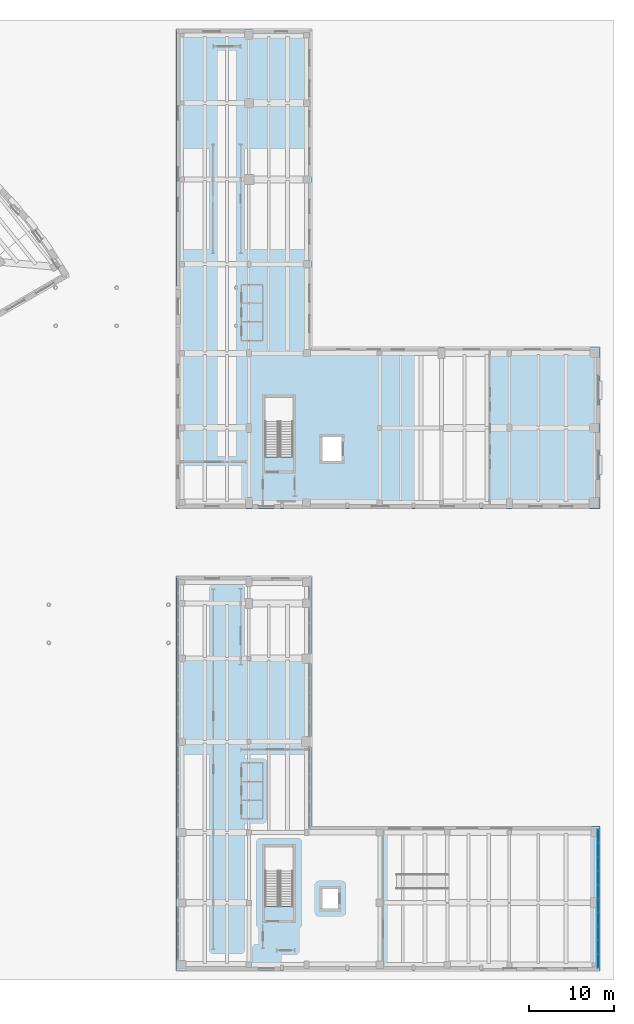
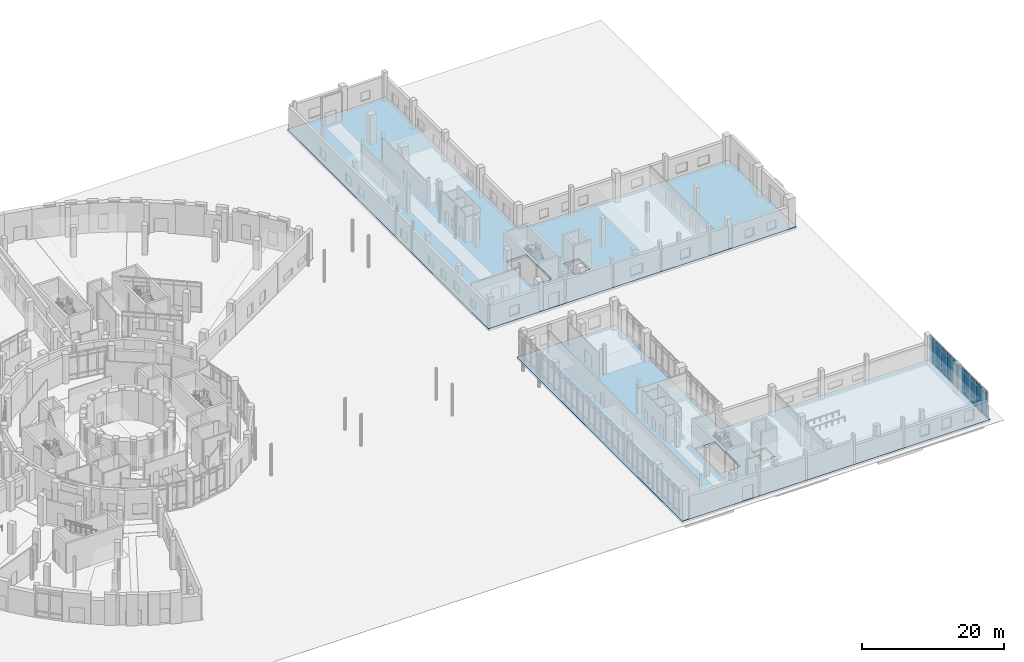
# One storey, part 40 of 74: 30 plates, 2 slabs, 1 element without a shape of its own.
"""IFC4 building model written with IfcOpenShell, lengths in metres."""

from ifc_helpers import new_model, si_unit, direction, frame, origin, origin_2d, place, context, subcontext, project, spatial, polyline, rectangle, outline, extrude, material, layer, layer_set, type_object, element, aggregate, save


model = new_model("IFC4")

# Units and contexts
model_context = context("Model", 3, precision=1e-05, world=origin(), true_north=direction((0.0, 1.0)))
body_context = subcontext(model_context, "Body", "Model", "MODEL_VIEW")
ifc_project = project(units=[si_unit("LENGTHUNIT", "METRE"), si_unit("AREAUNIT", "SQUARE_METRE"), si_unit("VOLUMEUNIT", "CUBIC_METRE"), si_unit("PLANEANGLEUNIT", "RADIAN"), si_unit("MASSUNIT", "GRAM", prefix="KILO")], contexts=[model_context])

# Site, building, storey
site_placement = place(None, origin())
site = spatial("IfcSite", under=ifc_project, at=site_placement, CompositionType="ELEMENT")
building_placement = place(site_placement, origin())
building = spatial("IfcBuilding", under=site, at=building_placement, Name="Soyqirgoq Riverine Aquarium", CompositionType="ELEMENT")
storey_placement = place(building_placement, origin())
storey = spatial("IfcBuildingStorey", under=building, at=storey_placement, Name="L01", CompositionType="ELEMENT", Elevation=0.0)

# Curtain wall, plates
ifc_material_1 = material(Name="Structural silicone glazed entrance curtain wall", Category="aluminium")
curtain_wall_type = type_object("IfcCurtainWallType", Name="CW_Portal_Entrance", PredefinedType="NOTDEFINED", material=ifc_material_1)
curtain_wall_placement = place(storey_placement, origin())
curtain_wall = element("IfcCurtainWall", 1, at=curtain_wall_placement, inside=storey, type_object=curtain_wall_type, Name="V6 L01 Curtain Wall 111", PredefinedType="NOTDEFINED")
ifc_material_2 = material(Name="Triple insulated laminated low-E glass", Category="glass")
ifc_layer_1 = layer(ifc_material_2, 0.0458984375)
ifc_layer_set_1 = layer_set([ifc_layer_1], Name="Triple insulated laminated low-E glass")
plate_type = type_object("IfcPlateType", Name="CWGlazedPanel_46", PredefinedType="CURTAIN_PANEL", material=ifc_layer_set_1)
plate_1_placement = place(storey_placement, frame((163.75, 17.368896484375, 0.074951171875), z_axis=(0.0, 0.0, 1.0), x_axis=(0.0, -1.0, 0.0)))
plate_1 = element("IfcPlate", 2, at=plate_1_placement, type_object=plate_type, Name="CW-04 panel 1.1", PredefinedType="CURTAIN_PANEL", context=body_context, shape_type="SweptSolid", body=[
    extrude(rectangle(XDim=1.52197265625, YDim=0.0458984375, at=origin_2d()), origin(), (0.0, 0.0, 1.0), 0.78759765625),
])
plate_2_placement = place(storey_placement, frame((163.75, 17.368896484375, 0.9375), z_axis=(0.0, 0.0, 1.0), x_axis=(0.0, -1.0, 0.0)))
plate_2 = element("IfcPlate", 3, at=plate_2_placement, type_object=plate_type, Name="CW-04 panel 1.2", PredefinedType="CURTAIN_PANEL", context=body_context, shape_type="SweptSolid", body=[
    extrude(rectangle(XDim=1.52197265625, YDim=0.0458984375, at=origin_2d()), origin(), (0.0, 0.0, 1.0), 3.02490234375),
])
plate_3_placement = place(storey_placement, frame((163.75, 17.368896484375, 4.03759765625), z_axis=(0.0, 0.0, 1.0), x_axis=(0.0, -1.0, 0.0)))
plate_3 = element("IfcPlate", 4, at=plate_3_placement, type_object=plate_type, Name="CW-04 panel 1.3", PredefinedType="CURTAIN_PANEL", context=body_context, shape_type="SweptSolid", body=[
    extrude(rectangle(XDim=1.52197265625, YDim=0.0458984375, at=origin_2d()), origin(), (0.0, 0.0, 1.0), 0.58740234375),
])
plate_4_placement = place(storey_placement, frame((163.75, 15.7470703125, 0.074951171875), z_axis=(0.0, 0.0, 1.0), x_axis=(0.0, -1.0, 0.0)))
plate_4 = element("IfcPlate", 5, at=plate_4_placement, type_object=plate_type, Name="CW-04 panel 2.1", PredefinedType="CURTAIN_PANEL", context=body_context, shape_type="SweptSolid", body=[
    extrude(rectangle(XDim=1.56201171875, YDim=0.0458984375, at=origin_2d()), origin(), (0.0, 0.0, 1.0), 0.78759765625),
])
plate_5_placement = place(storey_placement, frame((163.75, 15.7470703125, 0.9375), z_axis=(0.0, 0.0, 1.0), x_axis=(0.0, -1.0, 0.0)))
plate_5 = element("IfcPlate", 6, at=plate_5_placement, type_object=plate_type, Name="CW-04 panel 2.2", PredefinedType="CURTAIN_PANEL", context=body_context, shape_type="SweptSolid", body=[
    extrude(rectangle(XDim=1.56201171875, YDim=0.0458984375, at=origin_2d()), origin(), (0.0, 0.0, 1.0), 3.02490234375),
])
plate_6_placement = place(storey_placement, frame((163.75, 15.7470703125, 4.03759765625), z_axis=(0.0, 0.0, 1.0), x_axis=(0.0, -1.0, 0.0)))
plate_6 = element("IfcPlate", 7, at=plate_6_placement, type_object=plate_type, Name="CW-04 panel 2.3", PredefinedType="CURTAIN_PANEL", context=body_context, shape_type="SweptSolid", body=[
    extrude(rectangle(XDim=1.56201171875, YDim=0.0458984375, at=origin_2d()), origin(), (0.0, 0.0, 1.0), 0.58740234375),
])
plate_7_placement = place(storey_placement, frame((163.75, 14.10498046875, 0.074951171875), z_axis=(0.0, 0.0, 1.0), x_axis=(0.0, -1.0, 0.0)))
plate_7 = element("IfcPlate", 8, at=plate_7_placement, type_object=plate_type, Name="CW-04 panel 3.1", PredefinedType="CURTAIN_PANEL", context=body_context, shape_type="SweptSolid", body=[
    extrude(rectangle(XDim=1.56201171875, YDim=0.0458984375, at=origin_2d()), origin(), (0.0, 0.0, 1.0), 0.78759765625),
])
plate_8_placement = place(storey_placement, frame((163.75, 14.10498046875, 0.9375), z_axis=(0.0, 0.0, 1.0), x_axis=(0.0, -1.0, 0.0)))
plate_8 = element("IfcPlate", 9, at=plate_8_placement, type_object=plate_type, Name="CW-04 panel 3.2", PredefinedType="CURTAIN_PANEL", context=body_context, shape_type="SweptSolid", body=[
    extrude(rectangle(XDim=1.56201171875, YDim=0.0458984375, at=origin_2d()), origin(), (0.0, 0.0, 1.0), 3.02490234375),
])
plate_9_placement = place(storey_placement, frame((163.75, 14.10498046875, 4.03759765625), z_axis=(0.0, 0.0, 1.0), x_axis=(0.0, -1.0, 0.0)))
plate_9 = element("IfcPlate", 10, at=plate_9_placement, type_object=plate_type, Name="CW-04 panel 3.3", PredefinedType="CURTAIN_PANEL", context=body_context, shape_type="SweptSolid", body=[
    extrude(rectangle(XDim=1.56201171875, YDim=0.0458984375, at=origin_2d()), origin(), (0.0, 0.0, 1.0), 0.58740234375),
])
plate_10_placement = place(storey_placement, frame((163.75, 12.462890625, 0.074951171875), z_axis=(0.0, 0.0, 1.0), x_axis=(0.0, -1.0, 0.0)))
plate_10 = element("IfcPlate", 11, at=plate_10_placement, type_object=plate_type, Name="CW-04 panel 4.1", PredefinedType="CURTAIN_PANEL", context=body_context, shape_type="SweptSolid", body=[
    extrude(rectangle(XDim=1.56201171875, YDim=0.0458984375, at=origin_2d()), origin(), (0.0, 0.0, 1.0), 0.78759765625),
])
plate_11_placement = place(storey_placement, frame((163.75, 12.462890625, 0.9375), z_axis=(0.0, 0.0, 1.0), x_axis=(0.0, -1.0, 0.0)))
plate_11 = element("IfcPlate", 12, at=plate_11_placement, type_object=plate_type, Name="CW-04 panel 4.2", PredefinedType="CURTAIN_PANEL", context=body_context, shape_type="SweptSolid", body=[
    extrude(rectangle(XDim=1.56201171875, YDim=0.0458984375, at=origin_2d()), origin(), (0.0, 0.0, 1.0), 3.02490234375),
])
plate_12_placement = place(storey_placement, frame((163.75, 12.462890625, 4.03759765625), z_axis=(0.0, 0.0, 1.0), x_axis=(0.0, -1.0, 0.0)))
plate_12 = element("IfcPlate", 13, at=plate_12_placement, type_object=plate_type, Name="CW-04 panel 4.3", PredefinedType="CURTAIN_PANEL", context=body_context, shape_type="SweptSolid", body=[
    extrude(rectangle(XDim=1.56201171875, YDim=0.0458984375, at=origin_2d()), origin(), (0.0, 0.0, 1.0), 0.58740234375),
])
plate_13_placement = place(storey_placement, frame((163.75, 10.821044921875, 0.074951171875), z_axis=(0.0, 0.0, 1.0), x_axis=(0.0, -1.0, 0.0)))
plate_13 = element("IfcPlate", 14, at=plate_13_placement, type_object=plate_type, Name="CW-04 panel 5.1", PredefinedType="CURTAIN_PANEL", context=body_context, shape_type="SweptSolid", body=[
    extrude(rectangle(XDim=1.56201171875, YDim=0.0458984375, at=origin_2d()), origin(), (0.0, 0.0, 1.0), 0.78759765625),
])
plate_14_placement = place(storey_placement, frame((163.75, 10.821044921875, 0.9375), z_axis=(0.0, 0.0, 1.0), x_axis=(0.0, -1.0, 0.0)))
plate_14 = element("IfcPlate", 15, at=plate_14_placement, type_object=plate_type, Name="CW-04 panel 5.2", PredefinedType="CURTAIN_PANEL", context=body_context, shape_type="SweptSolid", body=[
    extrude(rectangle(XDim=1.56201171875, YDim=0.0458984375, at=origin_2d()), origin(), (0.0, 0.0, 1.0), 3.02490234375),
])
plate_15_placement = place(storey_placement, frame((163.75, 10.821044921875, 4.03759765625), z_axis=(0.0, 0.0, 1.0), x_axis=(0.0, -1.0, 0.0)))
plate_15 = element("IfcPlate", 16, at=plate_15_placement, type_object=plate_type, Name="CW-04 panel 5.3", PredefinedType="CURTAIN_PANEL", context=body_context, shape_type="SweptSolid", body=[
    extrude(rectangle(XDim=1.56201171875, YDim=0.0458984375, at=origin_2d()), origin(), (0.0, 0.0, 1.0), 0.58740234375),
])
plate_16_placement = place(storey_placement, frame((163.75, 9.178955078125, 0.074951171875), z_axis=(0.0, 0.0, 1.0), x_axis=(0.0, -1.0, 0.0)))
plate_16 = element("IfcPlate", 17, at=plate_16_placement, type_object=plate_type, Name="CW-04 panel 6.1", PredefinedType="CURTAIN_PANEL", context=body_context, shape_type="SweptSolid", body=[
    extrude(rectangle(XDim=1.56201171875, YDim=0.0458984375, at=origin_2d()), origin(), (0.0, 0.0, 1.0), 0.78759765625),
])
plate_17_placement = place(storey_placement, frame((163.75, 9.178955078125, 0.9375), z_axis=(0.0, 0.0, 1.0), x_axis=(0.0, -1.0, 0.0)))
plate_17 = element("IfcPlate", 18, at=plate_17_placement, type_object=plate_type, Name="CW-04 panel 6.2", PredefinedType="CURTAIN_PANEL", context=body_context, shape_type="SweptSolid", body=[
    extrude(rectangle(XDim=1.56201171875, YDim=0.0458984375, at=origin_2d()), origin(), (0.0, 0.0, 1.0), 3.02490234375),
])
plate_18_placement = place(storey_placement, frame((163.75, 9.178955078125, 4.03759765625), z_axis=(0.0, 0.0, 1.0), x_axis=(0.0, -1.0, 0.0)))
plate_18 = element("IfcPlate", 19, at=plate_18_placement, type_object=plate_type, Name="CW-04 panel 6.3", PredefinedType="CURTAIN_PANEL", context=body_context, shape_type="SweptSolid", body=[
    extrude(rectangle(XDim=1.56201171875, YDim=0.0458984375, at=origin_2d()), origin(), (0.0, 0.0, 1.0), 0.58740234375),
])
plate_19_placement = place(storey_placement, frame((163.75, 7.537109375, 0.074951171875), z_axis=(0.0, 0.0, 1.0), x_axis=(0.0, -1.0, 0.0)))
plate_19 = element("IfcPlate", 20, at=plate_19_placement, type_object=plate_type, Name="CW-04 panel 7.1", PredefinedType="CURTAIN_PANEL", context=body_context, shape_type="SweptSolid", body=[
    extrude(rectangle(XDim=1.56201171875, YDim=0.0458984375, at=origin_2d()), origin(), (0.0, 0.0, 1.0), 0.78759765625),
])
plate_20_placement = place(storey_placement, frame((163.75, 7.537109375, 0.9375), z_axis=(0.0, 0.0, 1.0), x_axis=(0.0, -1.0, 0.0)))
plate_20 = element("IfcPlate", 21, at=plate_20_placement, type_object=plate_type, Name="CW-04 panel 7.2", PredefinedType="CURTAIN_PANEL", context=body_context, shape_type="SweptSolid", body=[
    extrude(rectangle(XDim=1.56201171875, YDim=0.0458984375, at=origin_2d()), origin(), (0.0, 0.0, 1.0), 3.02490234375),
])
plate_21_placement = place(storey_placement, frame((163.75, 7.537109375, 4.03759765625), z_axis=(0.0, 0.0, 1.0), x_axis=(0.0, -1.0, 0.0)))
plate_21 = element("IfcPlate", 22, at=plate_21_placement, type_object=plate_type, Name="CW-04 panel 7.3", PredefinedType="CURTAIN_PANEL", context=body_context, shape_type="SweptSolid", body=[
    extrude(rectangle(XDim=1.56201171875, YDim=0.0458984375, at=origin_2d()), origin(), (0.0, 0.0, 1.0), 0.58740234375),
])
plate_22_placement = place(storey_placement, frame((163.75, 5.89501953125, 0.074951171875), z_axis=(0.0, 0.0, 1.0), x_axis=(0.0, -1.0, 0.0)))
plate_22 = element("IfcPlate", 23, at=plate_22_placement, type_object=plate_type, Name="CW-04 panel 8.1", PredefinedType="CURTAIN_PANEL", context=body_context, shape_type="SweptSolid", body=[
    extrude(rectangle(XDim=1.56201171875, YDim=0.0458984375, at=origin_2d()), origin(), (0.0, 0.0, 1.0), 0.78759765625),
])
plate_23_placement = place(storey_placement, frame((163.75, 5.89501953125, 0.9375), z_axis=(0.0, 0.0, 1.0), x_axis=(0.0, -1.0, 0.0)))
plate_23 = element("IfcPlate", 24, at=plate_23_placement, type_object=plate_type, Name="CW-04 panel 8.2", PredefinedType="CURTAIN_PANEL", context=body_context, shape_type="SweptSolid", body=[
    extrude(rectangle(XDim=1.56201171875, YDim=0.0458984375, at=origin_2d()), origin(), (0.0, 0.0, 1.0), 3.02490234375),
])
plate_24_placement = place(storey_placement, frame((163.75, 5.89501953125, 4.03759765625), z_axis=(0.0, 0.0, 1.0), x_axis=(0.0, -1.0, 0.0)))
plate_24 = element("IfcPlate", 25, at=plate_24_placement, type_object=plate_type, Name="CW-04 panel 8.3", PredefinedType="CURTAIN_PANEL", context=body_context, shape_type="SweptSolid", body=[
    extrude(rectangle(XDim=1.56201171875, YDim=0.0458984375, at=origin_2d()), origin(), (0.0, 0.0, 1.0), 0.58740234375),
])
plate_25_placement = place(storey_placement, frame((163.75, 4.2529296875, 0.074951171875), z_axis=(0.0, 0.0, 1.0), x_axis=(0.0, -1.0, 0.0)))
plate_25 = element("IfcPlate", 26, at=plate_25_placement, type_object=plate_type, Name="CW-04 panel 9.1", PredefinedType="CURTAIN_PANEL", context=body_context, shape_type="SweptSolid", body=[
    extrude(rectangle(XDim=1.56201171875, YDim=0.0458984375, at=origin_2d()), origin(), (0.0, 0.0, 1.0), 0.78759765625),
])
plate_26_placement = place(storey_placement, frame((163.75, 4.2529296875, 0.9375), z_axis=(0.0, 0.0, 1.0), x_axis=(0.0, -1.0, 0.0)))
plate_26 = element("IfcPlate", 27, at=plate_26_placement, type_object=plate_type, Name="CW-04 panel 9.2", PredefinedType="CURTAIN_PANEL", context=body_context, shape_type="SweptSolid", body=[
    extrude(rectangle(XDim=1.56201171875, YDim=0.0458984375, at=origin_2d()), origin(), (0.0, 0.0, 1.0), 3.02490234375),
])
plate_27_placement = place(storey_placement, frame((163.75, 4.2529296875, 4.03759765625), z_axis=(0.0, 0.0, 1.0), x_axis=(0.0, -1.0, 0.0)))
plate_27 = element("IfcPlate", 28, at=plate_27_placement, type_object=plate_type, Name="CW-04 panel 9.3", PredefinedType="CURTAIN_PANEL", context=body_context, shape_type="SweptSolid", body=[
    extrude(rectangle(XDim=1.56201171875, YDim=0.0458984375, at=origin_2d()), origin(), (0.0, 0.0, 1.0), 0.58740234375),
])
plate_28_placement = place(storey_placement, frame((163.75, 2.631103515625, 0.074951171875), z_axis=(0.0, 0.0, 1.0), x_axis=(0.0, -1.0, 0.0)))
plate_28 = element("IfcPlate", 29, at=plate_28_placement, type_object=plate_type, Name="CW-04 panel 10.1", PredefinedType="CURTAIN_PANEL", context=body_context, shape_type="SweptSolid", body=[
    extrude(rectangle(XDim=1.52197265625, YDim=0.0458984375, at=origin_2d()), origin(), (0.0, 0.0, 1.0), 0.78759765625),
])
plate_29_placement = place(storey_placement, frame((163.75, 2.631103515625, 0.9375), z_axis=(0.0, 0.0, 1.0), x_axis=(0.0, -1.0, 0.0)))
plate_29 = element("IfcPlate", 30, at=plate_29_placement, type_object=plate_type, Name="CW-04 panel 10.2", PredefinedType="CURTAIN_PANEL", context=body_context, shape_type="SweptSolid", body=[
    extrude(rectangle(XDim=1.52197265625, YDim=0.0458984375, at=origin_2d()), origin(), (0.0, 0.0, 1.0), 3.02490234375),
])
plate_30_placement = place(storey_placement, frame((163.75, 2.631103515625, 4.03759765625), z_axis=(0.0, 0.0, 1.0), x_axis=(0.0, -1.0, 0.0)))
plate_30 = element("IfcPlate", 31, at=plate_30_placement, type_object=plate_type, Name="CW-04 panel 10.3", PredefinedType="CURTAIN_PANEL", context=body_context, shape_type="SweptSolid", body=[
    extrude(rectangle(XDim=1.52197265625, YDim=0.0458984375, at=origin_2d()), origin(), (0.0, 0.0, 1.0), 0.58740234375),
])
aggregate(curtain_wall, [plate_1, plate_2, plate_3, plate_4, plate_5, plate_6, plate_7, plate_8, plate_9, plate_10, plate_11, plate_12, plate_13, plate_14, plate_15, plate_16, plate_17, plate_18, plate_19, plate_20, plate_21, plate_22, plate_23, plate_24, plate_25, plate_26, plate_27, plate_28, plate_29, plate_30])

# Slabs
ifc_material_3 = material(Name="Concrete C40/50", Category="concrete")
ifc_layer_2 = layer(ifc_material_3, 0.35009765625)
ifc_layer_set_2 = layer_set([ifc_layer_2], Name="Concrete C40/50")
slab_type_1 = type_object("IfcSlabType", Name="FloorSlab_350_C40", PredefinedType="FLOOR", material=ifc_layer_set_2)
slab_1_placement = place(storey_placement, frame((0.0, 0.0, -0.35009765625)))
element("IfcSlab", 32, at=slab_1_placement, inside=storey, type_object=slab_type_1, Name="V6 L01 Suspended Floor Slab", PredefinedType="FLOOR", context=body_context, shape_type="SweptSolid", body=[
    extrude(outline(polyline([(114.0, 1.5), (164.0, 1.5), (164.0, 18.5), (130.0, 18.5), (130.0, 48.0), (114.0, 48.0), (114.0, 1.5)]), holes=[polyline([(127.800048828125, 9.074951171875), (127.800048828125, 16.10009765625), (124.5, 16.10009765625), (124.5, 9.074951171875), (127.800048828125, 9.074951171875)]), polyline([(131.14990234375, 8.699951171875), (133.25, 8.699951171875), (133.25, 11.300048828125), (131.14990234375, 11.300048828125), (131.14990234375, 8.699951171875)])]), origin(), (0.0, 0.0, 1.0), 0.35009765625),
])
ifc_material_4 = material(Name="Waterproof concrete C45/55", Category="concrete")
ifc_layer_3 = layer(ifc_material_4, 0.449951171875)
ifc_layer_set_3 = layer_set([ifc_layer_3], Name="Waterproof concrete C45/55")
slab_type_2 = type_object("IfcSlabType", Name="FloorSlab_450_C45", PredefinedType="FLOOR", material=ifc_layer_set_3)
slab_2_placement = place(storey_placement, frame((0.0, 0.0, -0.419921875)))
element("IfcSlab", 33, at=slab_2_placement, inside=storey, type_object=slab_type_2, Name="V7 L01 Suspended Floor Slab", PredefinedType="FLOOR", context=body_context, shape_type="SweptSolid", body=[
    extrude(outline(polyline([(114.0, 56.0), (164.0, 56.0), (164.0, 75.0), (130.0, 75.0), (130.0, 112.5), (114.0, 112.5), (114.0, 56.0)]), holes=[polyline([(127.800048828125, 62.074951171875), (127.800048828125, 69.10009765625), (124.5, 69.10009765625), (124.5, 62.074951171875), (127.800048828125, 62.074951171875)]), polyline([(131.14990234375, 61.449951171875), (133.64990234375, 61.449951171875), (133.64990234375, 64.550048828125), (131.14990234375, 64.550048828125), (131.14990234375, 61.449951171875)])]), origin(), (0.0, 0.0, 1.0), 0.419921875),
])

save(model, "model.ifc")
